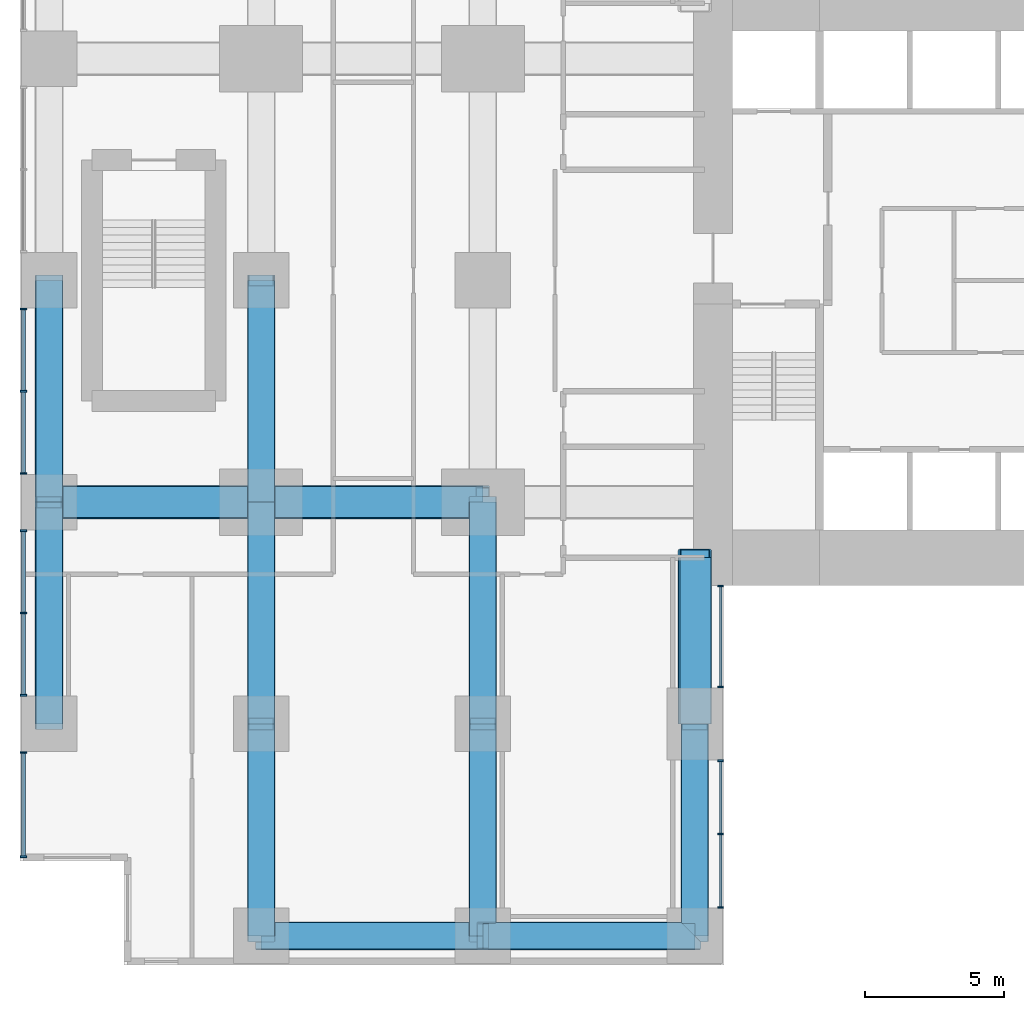
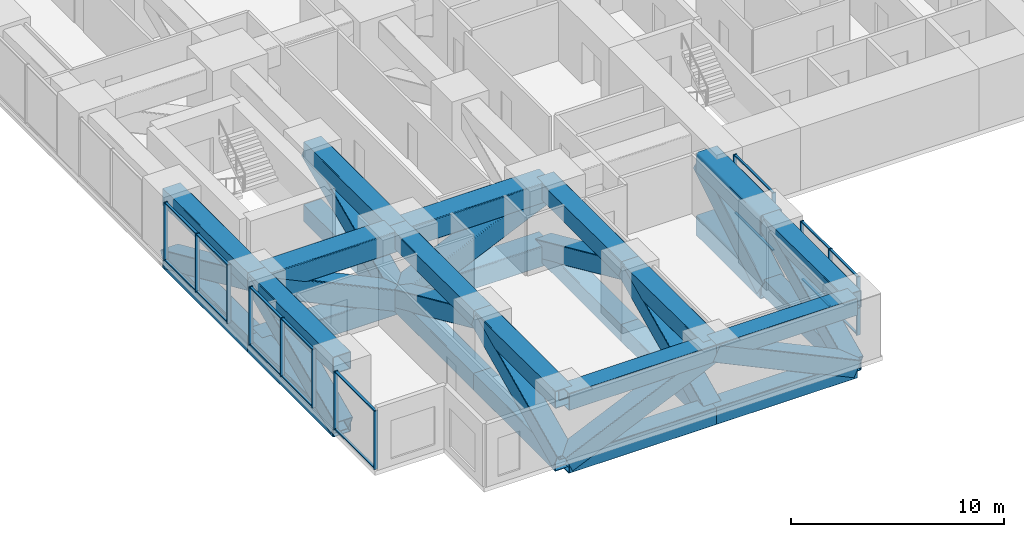
# One storey, part 2 of 15: 68 members, 5 elements without a shape of their own.
"""IFC4 building model written with IfcOpenShell, lengths in metres."""

from ifc_helpers import new_model, si_unit, direction, frame, origin, origin_2d, place, context, subcontext, project, spatial, rectangle, hollow_rectangle, extrude, material, layer, layer_set, material_profile, profile_set, type_object, element, aggregate, save


model = new_model("IFC4")

# Units and contexts
model_context = context("Model", 3, precision=1e-05, world=origin(), true_north=direction((0.0, 1.0)))
body_context = subcontext(model_context, "Body", "Model", "MODEL_VIEW")
ifc_project = project(units=[si_unit("LENGTHUNIT", "METRE"), si_unit("AREAUNIT", "SQUARE_METRE"), si_unit("VOLUMEUNIT", "CUBIC_METRE"), si_unit("PLANEANGLEUNIT", "RADIAN"), si_unit("MASSUNIT", "GRAM", prefix="KILO")], contexts=[model_context])

# Site, building, storey
site_placement = place(None, origin())
site = spatial("IfcSite", under=ifc_project, at=site_placement, CompositionType="ELEMENT")
building_placement = place(site_placement, origin())
building = spatial("IfcBuilding", under=site, at=building_placement, Name="Cleftline Residences", CompositionType="ELEMENT")
storey_placement = place(building_placement, frame((0.0, 0.0, 132.199951171875)))
storey = spatial("IfcBuildingStorey", under=building, at=storey_placement, Name="L34", CompositionType="ELEMENT", Elevation=132.199951171875)

# Members
ifc_material_1 = material(Name="Steel S355", Category="steel")
ifc_material_profile_1 = material_profile(ifc_material_1, hollow_rectangle(XDim=1.0, YDim=1.0, WallThickness=0.0400390625, InnerFilletRadius=0.0400390625, OuterFilletRadius=0.06005859375, at=origin_2d()))
ifc_profile_set_1 = profile_set([ifc_material_profile_1], Name="Steel S355")
member_type_1 = type_object("IfcMemberType", Name="BRACE BOX 1000X1000X40", PredefinedType="BRACE", material=ifc_profile_set_1)
for number, where, z_axis, x_axis, name in (
    (1, (0.35009765625, 8.0, -0.75), (0.0, 0.91191733938, 0.410373934525), (0.0, -0.410373934525, 0.91191733938), "Belt truss diagonal"),
    (2, (0.35009765625, 16.0, 2.85009765625), (0.0, 0.91191733938, -0.410373934525), (0.0, 0.410373934525, 0.91191733938), "Belt truss diagonal"),
):
    element("IfcMember", number, at=place(storey_placement, frame(where, z_axis=z_axis, x_axis=x_axis)), inside=storey, type_object=member_type_1, Name=name, PredefinedType="BRACE", context=body_context, shape_type="SweptSolid", body=[
        extrude(hollow_rectangle(XDim=1.0, YDim=1.0, WallThickness=0.0400390625, InnerFilletRadius=0.0400390625, OuterFilletRadius=0.06005859375, at=origin_2d()), origin(), (0.0, 0.0, 1.0), 8.772705078125),
    ])
member_1_placement = place(storey_placement, frame((8.0, 0.35009765625, -0.75), z_axis=(0.0, 0.904812157874, 0.425810942746), x_axis=(0.0, -0.425810942746, 0.904812157874)))
element("IfcMember", 3, at=member_1_placement, inside=storey, type_object=member_type_1, Name="Belt truss diagonal", PredefinedType="BRACE", context=body_context, shape_type="SweptSolid", body=[
    extrude(hollow_rectangle(XDim=1.0, YDim=1.0, WallThickness=0.0400390625, InnerFilletRadius=0.0400390625, OuterFilletRadius=0.06005859375, at=origin_2d()), origin(), (0.0, 0.0, 1.0), 8.45458984375),
])
for number, where, z_axis, x_axis, name in (
    (4, (8.0, 8.0, 2.85009765625), (0.0, 0.91191733938, -0.410373934525), (0.0, 0.410373934525, 0.91191733938), "Belt truss diagonal"),
    (5, (8.0, 16.0, -0.75), (0.0, 0.91191733938, 0.410373934525), (0.0, -0.410373934525, 0.91191733938), "Belt truss diagonal"),
):
    element("IfcMember", number, at=place(storey_placement, frame(where, z_axis=z_axis, x_axis=x_axis)), inside=storey, type_object=member_type_1, Name=name, PredefinedType="BRACE", context=body_context, shape_type="SweptSolid", body=[
        extrude(hollow_rectangle(XDim=1.0, YDim=1.0, WallThickness=0.0400390625, InnerFilletRadius=0.0400390625, OuterFilletRadius=0.06005859375, at=origin_2d()), origin(), (0.0, 0.0, 1.0), 8.772705078125),
    ])
member_2_placement = place(storey_placement, frame((16.0, 0.35009765625, -0.75), z_axis=(0.0, 0.904812157874, 0.425810942746), x_axis=(0.0, -0.425810942746, 0.904812157874)))
element("IfcMember", 6, at=member_2_placement, inside=storey, type_object=member_type_1, Name="Belt truss diagonal", PredefinedType="BRACE", context=body_context, shape_type="SweptSolid", body=[
    extrude(hollow_rectangle(XDim=1.0, YDim=1.0, WallThickness=0.0400390625, InnerFilletRadius=0.0400390625, OuterFilletRadius=0.06005859375, at=origin_2d()), origin(), (0.0, 0.0, 1.0), 8.45458984375),
])
member_3_placement = place(storey_placement, frame((16.0, 8.0, 2.85009765625), z_axis=(0.0, 0.91191733938, -0.410373934525), x_axis=(0.0, 0.410373934525, 0.91191733938)))
element("IfcMember", 7, at=member_3_placement, inside=storey, type_object=member_type_1, Name="Belt truss diagonal", PredefinedType="BRACE", context=body_context, shape_type="SweptSolid", body=[
    extrude(hollow_rectangle(XDim=1.0, YDim=1.0, WallThickness=0.0400390625, InnerFilletRadius=0.0400390625, OuterFilletRadius=0.06005859375, at=origin_2d()), origin(), (0.0, 0.0, 1.0), 8.772705078125),
])
member_4_placement = place(storey_placement, frame((23.64990234375, 0.35009765625, -0.75), z_axis=(0.0, 0.904812157874, 0.425810942746), x_axis=(0.0, -0.425810942746, 0.904812157874)))
element("IfcMember", 8, at=member_4_placement, inside=storey, type_object=member_type_1, Name="Belt truss diagonal", PredefinedType="BRACE", context=body_context, shape_type="SweptSolid", body=[
    extrude(hollow_rectangle(XDim=1.0, YDim=1.0, WallThickness=0.0400390625, InnerFilletRadius=0.0400390625, OuterFilletRadius=0.06005859375, at=origin_2d()), origin(), (0.0, 0.0, 1.0), 8.45458984375),
])
member_5_placement = place(storey_placement, frame((8.0, 0.35009765625, -0.75), z_axis=(0.91191733938, 0.0, 0.410373934525), x_axis=(-0.410373934525, 0.0, 0.91191733938)))
element("IfcMember", 9, at=member_5_placement, inside=storey, type_object=member_type_1, Name="Belt truss diagonal", PredefinedType="BRACE", context=body_context, shape_type="SweptSolid", body=[
    extrude(hollow_rectangle(XDim=1.0, YDim=1.0, WallThickness=0.0400390625, InnerFilletRadius=0.0400390625, OuterFilletRadius=0.06005859375, at=origin_2d()), origin(), (0.0, 0.0, 1.0), 8.772705078125),
])
member_6_placement = place(storey_placement, frame((16.0, 0.35009765625, 2.85009765625), z_axis=(0.904812157874, 0.0, -0.425810942746), x_axis=(0.425810942746, 0.0, 0.904812157874)))
element("IfcMember", 10, at=member_6_placement, inside=storey, type_object=member_type_1, Name="Belt truss diagonal", PredefinedType="BRACE", context=body_context, shape_type="SweptSolid", body=[
    extrude(hollow_rectangle(XDim=1.0, YDim=1.0, WallThickness=0.0400390625, InnerFilletRadius=0.0400390625, OuterFilletRadius=0.06005859375, at=origin_2d()), origin(), (0.0, 0.0, 1.0), 8.45458984375),
])
ifc_material_2 = material(Name="Steel S355", Category="steel")
ifc_material_profile_2 = material_profile(ifc_material_2, hollow_rectangle(XDim=1.199951171875, YDim=1.199951171875, WallThickness=0.06005859375, InnerFilletRadius=0.06005859375, OuterFilletRadius=0.090087890625, at=origin_2d()))
ifc_profile_set_2 = profile_set([ifc_material_profile_2], Name="Steel S355")
member_type_2 = type_object("IfcMemberType", Name="BRACE BOX 1200X1200X60", PredefinedType="BRACE", material=ifc_profile_set_2)
member_7_placement = place(storey_placement, frame((16.0, 16.0, 2.75), z_axis=(-0.911927753762, 0.0, -0.410350791297), x_axis=(-0.410350791297, 0.0, 0.911927753762)))
element("IfcMember", 11, at=member_7_placement, inside=storey, type_object=member_type_2, Name="Outrigger truss diagonal", PredefinedType="BRACE", context=body_context, shape_type="SweptSolid", body=[
    extrude(hollow_rectangle(XDim=1.199951171875, YDim=1.199951171875, WallThickness=0.06005859375, InnerFilletRadius=0.06005859375, OuterFilletRadius=0.090087890625, at=origin_2d()), origin(), (0.0, 0.0, 1.0), 8.772705078125),
])
member_8_placement = place(storey_placement, frame((8.0, 16.0, -0.849853515625), z_axis=(-0.904823283159, 0.0, 0.425787301659), x_axis=(0.425787301659, 0.0, 0.904823283159)))
element("IfcMember", 12, at=member_8_placement, inside=storey, type_object=member_type_2, Name="Outrigger truss diagonal", PredefinedType="BRACE", context=body_context, shape_type="SweptSolid", body=[
    extrude(hollow_rectangle(XDim=1.199951171875, YDim=1.199951171875, WallThickness=0.06005859375, InnerFilletRadius=0.06005859375, OuterFilletRadius=0.090087890625, at=origin_2d()), origin(), (0.0, 0.0, 1.0), 8.45458984375),
])
member_9_placement = place(storey_placement, frame((23.64990234375, 8.0, -0.849853515625), z_axis=(0.0, 0.857502161653, 0.51448036188), x_axis=(0.0, -0.51448036188, 0.857502161653)))
element("IfcMember", 13, at=member_9_placement, inside=storey, type_object=member_type_2, Name="Outrigger truss diagonal", PredefinedType="BRACE", context=body_context, shape_type="SweptSolid", body=[
    extrude(hollow_rectangle(XDim=1.199951171875, YDim=1.199951171875, WallThickness=0.06005859375, InnerFilletRadius=0.06005859375, OuterFilletRadius=0.090087890625, at=origin_2d()), origin(), (0.0, 0.0, 1.0), 6.9970703125),
])
ifc_material_3 = material(Name="Steel S355", Category="steel")
ifc_material_profile_3 = material_profile(ifc_material_3, hollow_rectangle(XDim=1.0, YDim=1.0, WallThickness=0.0400390625, InnerFilletRadius=0.0400390625, OuterFilletRadius=0.06005859375, at=origin_2d()))
ifc_profile_set_3 = profile_set([ifc_material_profile_3], Name="Steel S355")
member_type_3 = type_object("IfcMemberType", Name="CHORD BOX 1000X1000X40", PredefinedType="CHORD", material=ifc_profile_set_3)
for number, where, z_axis, x_axis, name in (
    (14, (0.35009765625, 8.0, -0.75), (0.0, 1.0, 0.0), (-1.0, 0.0, 0.0), "Belt truss bottom chord"),
    (15, (0.35009765625, 8.0, 2.85009765625), (0.0, 1.0, 0.0), (-1.0, 0.0, 0.0), "Belt truss top chord"),
    (16, (0.35009765625, 16.0, -0.75), (0.0, 1.0, 0.0), (-1.0, 0.0, 0.0), "Belt truss bottom chord"),
    (17, (0.35009765625, 16.0, 2.85009765625), (0.0, 1.0, 0.0), (-1.0, 0.0, 0.0), "Belt truss top chord"),
):
    element("IfcMember", number, at=place(storey_placement, frame(where, z_axis=z_axis, x_axis=x_axis)), inside=storey, type_object=member_type_3, Name=name, PredefinedType="CHORD", context=body_context, shape_type="SweptSolid", body=[
        extrude(hollow_rectangle(XDim=1.0, YDim=1.0, WallThickness=0.0400390625, InnerFilletRadius=0.0400390625, OuterFilletRadius=0.06005859375, at=origin_2d()), origin(), (0.0, 0.0, 1.0), 8.0),
    ])
for number, where, z_axis, x_axis, name in (
    (18, (8.0, 0.35009765625, -0.75), (0.0, 1.0, 0.0), (-1.0, 0.0, 0.0), "Belt truss bottom chord"),
    (19, (8.0, 0.35009765625, 2.85009765625), (0.0, 1.0, 0.0), (-1.0, 0.0, 0.0), "Belt truss top chord"),
):
    element("IfcMember", number, at=place(storey_placement, frame(where, z_axis=z_axis, x_axis=x_axis)), inside=storey, type_object=member_type_3, Name=name, PredefinedType="CHORD", context=body_context, shape_type="SweptSolid", body=[
        extrude(hollow_rectangle(XDim=1.0, YDim=1.0, WallThickness=0.0400390625, InnerFilletRadius=0.0400390625, OuterFilletRadius=0.06005859375, at=origin_2d()), origin(), (0.0, 0.0, 1.0), 7.64990234375),
    ])
for number, where, z_axis, x_axis, name in (
    (20, (8.0, 8.0, -0.75), (0.0, 1.0, 0.0), (-1.0, 0.0, 0.0), "Belt truss bottom chord"),
    (21, (8.0, 8.0, 2.85009765625), (0.0, 1.0, 0.0), (-1.0, 0.0, 0.0), "Belt truss top chord"),
    (22, (8.0, 16.0, -0.75), (0.0, 1.0, 0.0), (-1.0, 0.0, 0.0), "Belt truss bottom chord"),
    (23, (8.0, 16.0, 2.85009765625), (0.0, 1.0, 0.0), (-1.0, 0.0, 0.0), "Belt truss top chord"),
):
    element("IfcMember", number, at=place(storey_placement, frame(where, z_axis=z_axis, x_axis=x_axis)), inside=storey, type_object=member_type_3, Name=name, PredefinedType="CHORD", context=body_context, shape_type="SweptSolid", body=[
        extrude(hollow_rectangle(XDim=1.0, YDim=1.0, WallThickness=0.0400390625, InnerFilletRadius=0.0400390625, OuterFilletRadius=0.06005859375, at=origin_2d()), origin(), (0.0, 0.0, 1.0), 8.0),
    ])
for number, where, z_axis, x_axis, name in (
    (24, (16.0, 0.35009765625, -0.75), (0.0, 1.0, 0.0), (-1.0, 0.0, 0.0), "Belt truss bottom chord"),
    (25, (16.0, 0.35009765625, 2.85009765625), (0.0, 1.0, 0.0), (-1.0, 0.0, 0.0), "Belt truss top chord"),
):
    element("IfcMember", number, at=place(storey_placement, frame(where, z_axis=z_axis, x_axis=x_axis)), inside=storey, type_object=member_type_3, Name=name, PredefinedType="CHORD", context=body_context, shape_type="SweptSolid", body=[
        extrude(hollow_rectangle(XDim=1.0, YDim=1.0, WallThickness=0.0400390625, InnerFilletRadius=0.0400390625, OuterFilletRadius=0.06005859375, at=origin_2d()), origin(), (0.0, 0.0, 1.0), 7.64990234375),
    ])
for number, where, z_axis, x_axis, name in (
    (26, (16.0, 8.0, -0.75), (0.0, 1.0, 0.0), (-1.0, 0.0, 0.0), "Belt truss bottom chord"),
    (27, (16.0, 8.0, 2.85009765625), (0.0, 1.0, 0.0), (-1.0, 0.0, 0.0), "Belt truss top chord"),
):
    element("IfcMember", number, at=place(storey_placement, frame(where, z_axis=z_axis, x_axis=x_axis)), inside=storey, type_object=member_type_3, Name=name, PredefinedType="CHORD", context=body_context, shape_type="SweptSolid", body=[
        extrude(hollow_rectangle(XDim=1.0, YDim=1.0, WallThickness=0.0400390625, InnerFilletRadius=0.0400390625, OuterFilletRadius=0.06005859375, at=origin_2d()), origin(), (0.0, 0.0, 1.0), 8.0),
    ])
for number, where, z_axis, x_axis, name in (
    (28, (23.64990234375, 0.35009765625, -0.75), (0.0, 1.0, 0.0), (-1.0, 0.0, 0.0), "Belt truss bottom chord"),
    (29, (23.64990234375, 0.35009765625, 2.85009765625), (0.0, 1.0, 0.0), (-1.0, 0.0, 0.0), "Belt truss top chord"),
):
    element("IfcMember", number, at=place(storey_placement, frame(where, z_axis=z_axis, x_axis=x_axis)), inside=storey, type_object=member_type_3, Name=name, PredefinedType="CHORD", context=body_context, shape_type="SweptSolid", body=[
        extrude(hollow_rectangle(XDim=1.0, YDim=1.0, WallThickness=0.0400390625, InnerFilletRadius=0.0400390625, OuterFilletRadius=0.06005859375, at=origin_2d()), origin(), (0.0, 0.0, 1.0), 7.64990234375),
    ])
for number, where, z_axis, x_axis, name in (
    (30, (8.0, 0.35009765625, -0.75), (1.0, 0.0, 0.0), (0.0, 1.0, 0.0), "Belt truss bottom chord"),
    (31, (8.0, 0.35009765625, 2.85009765625), (1.0, 0.0, 0.0), (0.0, 1.0, 0.0), "Belt truss top chord"),
):
    element("IfcMember", number, at=place(storey_placement, frame(where, z_axis=z_axis, x_axis=x_axis)), inside=storey, type_object=member_type_3, Name=name, PredefinedType="CHORD", context=body_context, shape_type="SweptSolid", body=[
        extrude(hollow_rectangle(XDim=1.0, YDim=1.0, WallThickness=0.0400390625, InnerFilletRadius=0.0400390625, OuterFilletRadius=0.06005859375, at=origin_2d()), origin(), (0.0, 0.0, 1.0), 8.0),
    ])
for number, where, z_axis, x_axis, name in (
    (32, (16.0, 0.35009765625, -0.75), (1.0, 0.0, 0.0), (0.0, 1.0, 0.0), "Belt truss bottom chord"),
    (33, (16.0, 0.35009765625, 2.85009765625), (1.0, 0.0, 0.0), (0.0, 1.0, 0.0), "Belt truss top chord"),
):
    element("IfcMember", number, at=place(storey_placement, frame(where, z_axis=z_axis, x_axis=x_axis)), inside=storey, type_object=member_type_3, Name=name, PredefinedType="CHORD", context=body_context, shape_type="SweptSolid", body=[
        extrude(hollow_rectangle(XDim=1.0, YDim=1.0, WallThickness=0.0400390625, InnerFilletRadius=0.0400390625, OuterFilletRadius=0.06005859375, at=origin_2d()), origin(), (0.0, 0.0, 1.0), 7.64990234375),
    ])
ifc_material_4 = material(Name="Steel S355", Category="steel")
ifc_material_profile_4 = material_profile(ifc_material_4, hollow_rectangle(XDim=1.199951171875, YDim=1.199951171875, WallThickness=0.06005859375, InnerFilletRadius=0.06005859375, OuterFilletRadius=0.090087890625, at=origin_2d()))
ifc_profile_set_4 = profile_set([ifc_material_profile_4], Name="Steel S355")
member_type_4 = type_object("IfcMemberType", Name="CHORD BOX 1200X1200X60", PredefinedType="CHORD", material=ifc_profile_set_4)
for number, where, z_axis, x_axis, name in (
    (34, (16.0, 16.0, -0.849853515625), (-1.0, 0.0, 0.0), (0.0, -1.0, 0.0), "Outrigger truss bottom chord"),
    (35, (16.0, 16.0, 2.75), (-1.0, 0.0, 0.0), (0.0, -1.0, 0.0), "Outrigger truss top chord"),
):
    element("IfcMember", number, at=place(storey_placement, frame(where, z_axis=z_axis, x_axis=x_axis)), inside=storey, type_object=member_type_4, Name=name, PredefinedType="CHORD", context=body_context, shape_type="SweptSolid", body=[
        extrude(hollow_rectangle(XDim=1.199951171875, YDim=1.199951171875, WallThickness=0.06005859375, InnerFilletRadius=0.06005859375, OuterFilletRadius=0.090087890625, at=origin_2d()), origin(), (0.0, 0.0, 1.0), 8.0),
    ])
for number, where, z_axis, x_axis, name in (
    (36, (8.0, 16.0, -0.849853515625), (-1.0, 0.0, 0.0), (0.0, -1.0, 0.0), "Outrigger truss bottom chord"),
    (37, (8.0, 16.0, 2.75), (-1.0, 0.0, 0.0), (0.0, -1.0, 0.0), "Outrigger truss top chord"),
):
    element("IfcMember", number, at=place(storey_placement, frame(where, z_axis=z_axis, x_axis=x_axis)), inside=storey, type_object=member_type_4, Name=name, PredefinedType="CHORD", context=body_context, shape_type="SweptSolid", body=[
        extrude(hollow_rectangle(XDim=1.199951171875, YDim=1.199951171875, WallThickness=0.06005859375, InnerFilletRadius=0.06005859375, OuterFilletRadius=0.090087890625, at=origin_2d()), origin(), (0.0, 0.0, 1.0), 7.64990234375),
    ])
for number, where, z_axis, x_axis, name in (
    (38, (23.64990234375, 8.0, -0.849853515625), (0.0, 1.0, 0.0), (-1.0, 0.0, 0.0), "Outrigger truss bottom chord"),
    (39, (23.64990234375, 8.0, 2.75), (0.0, 1.0, 0.0), (-1.0, 0.0, 0.0), "Outrigger truss top chord"),
):
    element("IfcMember", number, at=place(storey_placement, frame(where, z_axis=z_axis, x_axis=x_axis)), inside=storey, type_object=member_type_4, Name=name, PredefinedType="CHORD", context=body_context, shape_type="SweptSolid", body=[
        extrude(hollow_rectangle(XDim=1.199951171875, YDim=1.199951171875, WallThickness=0.06005859375, InnerFilletRadius=0.06005859375, OuterFilletRadius=0.090087890625, at=origin_2d()), origin(), (0.0, 0.0, 1.0), 6.0),
    ])

# Curtain wall, members
ifc_material_5 = material(Name="Aluminium framed curtain wall", Category="aluminium")
ifc_layer_1 = layer(ifc_material_5, 0.199951171875)
ifc_layer_set_1 = layer_set([ifc_layer_1], Name="CW1 CLEFT GLAZING")
curtain_wall_type_1 = type_object("IfcCurtainWallType", Name="CW1 CLEFT GLAZING", PredefinedType="NOTDEFINED", material=ifc_layer_set_1)
curtain_wall_1_placement = place(storey_placement, origin())
curtain_wall_1 = element("IfcCurtainWall", 40, at=curtain_wall_1_placement, inside=storey, type_object=curtain_wall_type_1, Name="Curtain wall CW1", PredefinedType="NOTDEFINED")
ifc_material_6 = material(Name="Aluminium mullion", Category="aluminium")
ifc_material_profile_5 = material_profile(ifc_material_6, rectangle(XDim=0.199951171875, YDim=0.06005859375, at=origin_2d()))
ifc_profile_set_5 = profile_set([ifc_material_profile_5], Name="Aluminium mullion")
member_type_5 = type_object("IfcMemberType", Name="CW1 MULLION", PredefinedType="MULLION", material=ifc_profile_set_5)
member_10_placement = place(storey_placement, frame((24.574951171875, 1.3798828125, 0.0), z_axis=(0.0, 0.0, 1.0), x_axis=(-1.0, 0.0, 0.0)))
member_10 = element("IfcMember", 41, at=member_10_placement, type_object=member_type_5, Name="CW1 mullion 1", PredefinedType="MULLION", context=body_context, shape_type="SweptSolid", body=[
    extrude(rectangle(XDim=0.199951171875, YDim=0.06005859375, at=origin_2d()), origin(), (0.0, 0.0, 1.0), 3.35009765625),
])
member_11_placement = place(storey_placement, frame((24.574951171875, 4.02490234375, 0.0), z_axis=(0.0, 0.0, 1.0), x_axis=(-1.0, 0.0, 0.0)))
member_11 = element("IfcMember", 42, at=member_11_placement, type_object=member_type_5, Name="CW1 mullion 2", PredefinedType="MULLION", context=body_context, shape_type="SweptSolid", body=[
    extrude(rectangle(XDim=0.199951171875, YDim=0.06005859375, at=origin_2d()), origin(), (0.0, 0.0, 1.0), 3.35009765625),
])
member_12_placement = place(storey_placement, frame((24.574951171875, 6.669921875, 0.0), z_axis=(0.0, 0.0, 1.0), x_axis=(-1.0, 0.0, 0.0)))
member_12 = element("IfcMember", 43, at=member_12_placement, type_object=member_type_5, Name="CW1 mullion 3", PredefinedType="MULLION", context=body_context, shape_type="SweptSolid", body=[
    extrude(rectangle(XDim=0.199951171875, YDim=0.06005859375, at=origin_2d()), origin(), (0.0, 0.0, 1.0), 3.35009765625),
])

curtain_wall_2_placement = place(storey_placement, origin())
curtain_wall_2 = element("IfcCurtainWall", 44, at=curtain_wall_2_placement, inside=storey, type_object=curtain_wall_type_1, Name="Curtain wall CW1", PredefinedType="NOTDEFINED")
member_13_placement = place(storey_placement, frame((24.574951171875, 9.330078125, 0.0), z_axis=(0.0, 0.0, 1.0), x_axis=(-1.0, 0.0, 0.0)))
member_13 = element("IfcMember", 45, at=member_13_placement, type_object=member_type_5, Name="CW1 mullion 1", PredefinedType="MULLION", context=body_context, shape_type="SweptSolid", body=[
    extrude(rectangle(XDim=0.199951171875, YDim=0.06005859375, at=origin_2d()), origin(), (0.0, 0.0, 1.0), 3.35009765625),
])
member_14_placement = place(storey_placement, frame((24.574951171875, 12.969970703125, 0.0), z_axis=(0.0, 0.0, 1.0), x_axis=(-1.0, 0.0, 0.0)))
member_14 = element("IfcMember", 46, at=member_14_placement, type_object=member_type_5, Name="CW1 mullion 2", PredefinedType="MULLION", context=body_context, shape_type="SweptSolid", body=[
    extrude(rectangle(XDim=0.199951171875, YDim=0.06005859375, at=origin_2d()), origin(), (0.0, 0.0, 1.0), 3.35009765625),
])

# Member
ifc_material_7 = material(Name="Aluminium transom", Category="aluminium")
ifc_material_profile_6 = material_profile(ifc_material_7, rectangle(XDim=0.1201171875, YDim=0.06005859375, at=origin_2d()))
ifc_profile_set_6 = profile_set([ifc_material_profile_6], Name="Aluminium transom")
member_type_6 = type_object("IfcMemberType", Name="CW1 TRANSOM", PredefinedType="USERDEFINED", material=ifc_profile_set_6)
member_15_placement = place(storey_placement, frame((24.574951171875, 1.409912109375, 0.030029296875), z_axis=(0.0, 1.0, 0.0), x_axis=(-1.0, 0.0, 0.0)))
member_15 = element("IfcMember", 47, at=member_15_placement, type_object=member_type_6, Name="CW1 transom 1.1", ObjectType="TRANSOM", PredefinedType="USERDEFINED", context=body_context, shape_type="SweptSolid", body=[
    extrude(rectangle(XDim=0.1201171875, YDim=0.06005859375, at=origin_2d()), origin(), (0.0, 0.0, 1.0), 2.585205078125),
])

member_16_placement = place(storey_placement, frame((24.574951171875, 1.409912109375, 3.320068359375), z_axis=(0.0, 1.0, 0.0), x_axis=(-1.0, 0.0, 0.0)))
member_16 = element("IfcMember", 48, at=member_16_placement, type_object=member_type_6, Name="CW1 transom 1.2", ObjectType="TRANSOM", PredefinedType="USERDEFINED", context=body_context, shape_type="SweptSolid", body=[
    extrude(rectangle(XDim=0.1201171875, YDim=0.06005859375, at=origin_2d()), origin(), (0.0, 0.0, 1.0), 2.585205078125),
])

member_17_placement = place(storey_placement, frame((24.574951171875, 4.054931640625, 0.030029296875), z_axis=(0.0, 1.0, 0.0), x_axis=(-1.0, 0.0, 0.0)))
member_17 = element("IfcMember", 49, at=member_17_placement, type_object=member_type_6, Name="CW1 transom 2.1", ObjectType="TRANSOM", PredefinedType="USERDEFINED", context=body_context, shape_type="SweptSolid", body=[
    extrude(rectangle(XDim=0.1201171875, YDim=0.06005859375, at=origin_2d()), origin(), (0.0, 0.0, 1.0), 2.5849609375),
])

member_18_placement = place(storey_placement, frame((24.574951171875, 4.054931640625, 3.320068359375), z_axis=(0.0, 1.0, 0.0), x_axis=(-1.0, 0.0, 0.0)))
member_18 = element("IfcMember", 50, at=member_18_placement, type_object=member_type_6, Name="CW1 transom 2.2", ObjectType="TRANSOM", PredefinedType="USERDEFINED", context=body_context, shape_type="SweptSolid", body=[
    extrude(rectangle(XDim=0.1201171875, YDim=0.06005859375, at=origin_2d()), origin(), (0.0, 0.0, 1.0), 2.5849609375),
])

aggregate(curtain_wall_1, [member_10, member_11, member_12, member_15, member_16, member_17, member_18])

member_19_placement = place(storey_placement, frame((24.574951171875, 9.360107421875, 0.030029296875), z_axis=(0.0, 1.0, 0.0), x_axis=(-1.0, 0.0, 0.0)))
member_19 = element("IfcMember", 51, at=member_19_placement, type_object=member_type_6, Name="CW1 transom 1.1", ObjectType="TRANSOM", PredefinedType="USERDEFINED", context=body_context, shape_type="SweptSolid", body=[
    extrude(rectangle(XDim=0.1201171875, YDim=0.06005859375, at=origin_2d()), origin(), (0.0, 0.0, 1.0), 3.579833984375),
])

member_20_placement = place(storey_placement, frame((24.574951171875, 9.360107421875, 3.320068359375), z_axis=(0.0, 1.0, 0.0), x_axis=(-1.0, 0.0, 0.0)))
member_20 = element("IfcMember", 52, at=member_20_placement, type_object=member_type_6, Name="CW1 transom 1.2", ObjectType="TRANSOM", PredefinedType="USERDEFINED", context=body_context, shape_type="SweptSolid", body=[
    extrude(rectangle(XDim=0.1201171875, YDim=0.06005859375, at=origin_2d()), origin(), (0.0, 0.0, 1.0), 3.579833984375),
])

aggregate(curtain_wall_2, [member_13, member_14, member_19, member_20])

# Curtain wall, members
ifc_material_8 = material(Name="Aluminium framed curtain wall", Category="aluminium")
ifc_layer_2 = layer(ifc_material_8, 0.199951171875)
ifc_layer_set_2 = layer_set([ifc_layer_2], Name="CW4 SKY LOUNGE GLAZING")
curtain_wall_type_2 = type_object("IfcCurtainWallType", Name="CW4 SKY LOUNGE GLAZING", PredefinedType="NOTDEFINED", material=ifc_layer_set_2)
curtain_wall_3_placement = place(storey_placement, origin())
curtain_wall_3 = element("IfcCurtainWall", 53, at=curtain_wall_3_placement, inside=storey, type_object=curtain_wall_type_2, Name="Curtain wall CW4", PredefinedType="NOTDEFINED")
ifc_material_9 = material(Name="Aluminium mullion", Category="aluminium")
ifc_material_profile_7 = material_profile(ifc_material_9, rectangle(XDim=0.219970703125, YDim=0.06494140625, at=origin_2d()))
ifc_profile_set_7 = profile_set([ifc_material_profile_7], Name="Aluminium mullion")
member_type_7 = type_object("IfcMemberType", Name="CW4 MULLION", PredefinedType="MULLION", material=ifc_profile_set_7)
member_21_placement = place(storey_placement, frame((-0.574951171875, 22.967529296875, 0.0), z_axis=(0.0, 0.0, 1.0), x_axis=(1.0, 0.0, 0.0)))
member_21 = element("IfcMember", 54, at=member_21_placement, type_object=member_type_7, Name="CW4 mullion 1", PredefinedType="MULLION", context=body_context, shape_type="SweptSolid", body=[
    extrude(rectangle(XDim=0.219970703125, YDim=0.06494140625, at=origin_2d()), origin(), (0.0, 0.0, 1.0), 3.35009765625),
])
member_22_placement = place(storey_placement, frame((-0.574951171875, 20.0, 0.0), z_axis=(0.0, 0.0, 1.0), x_axis=(1.0, 0.0, 0.0)))
member_22 = element("IfcMember", 55, at=member_22_placement, type_object=member_type_7, Name="CW4 mullion 2", PredefinedType="MULLION", context=body_context, shape_type="SweptSolid", body=[
    extrude(rectangle(XDim=0.219970703125, YDim=0.06494140625, at=origin_2d()), origin(), (0.0, 0.0, 1.0), 3.35009765625),
])
member_23_placement = place(storey_placement, frame((-0.574951171875, 17.032470703125, 0.0), z_axis=(0.0, 0.0, 1.0), x_axis=(1.0, 0.0, 0.0)))
member_23 = element("IfcMember", 56, at=member_23_placement, type_object=member_type_7, Name="CW4 mullion 3", PredefinedType="MULLION", context=body_context, shape_type="SweptSolid", body=[
    extrude(rectangle(XDim=0.219970703125, YDim=0.06494140625, at=origin_2d()), origin(), (0.0, 0.0, 1.0), 3.35009765625),
])

curtain_wall_4_placement = place(storey_placement, origin())
curtain_wall_4 = element("IfcCurtainWall", 57, at=curtain_wall_4_placement, inside=storey, type_object=curtain_wall_type_2, Name="Curtain wall CW4", PredefinedType="NOTDEFINED")
member_24_placement = place(storey_placement, frame((-0.574951171875, 14.967529296875, 0.0), z_axis=(0.0, 0.0, 1.0), x_axis=(1.0, 0.0, 0.0)))
member_24 = element("IfcMember", 58, at=member_24_placement, type_object=member_type_7, Name="CW4 mullion 1", PredefinedType="MULLION", context=body_context, shape_type="SweptSolid", body=[
    extrude(rectangle(XDim=0.219970703125, YDim=0.06494140625, at=origin_2d()), origin(), (0.0, 0.0, 1.0), 3.35009765625),
])
member_25_placement = place(storey_placement, frame((-0.574951171875, 12.0, 0.0), z_axis=(0.0, 0.0, 1.0), x_axis=(1.0, 0.0, 0.0)))
member_25 = element("IfcMember", 59, at=member_25_placement, type_object=member_type_7, Name="CW4 mullion 2", PredefinedType="MULLION", context=body_context, shape_type="SweptSolid", body=[
    extrude(rectangle(XDim=0.219970703125, YDim=0.06494140625, at=origin_2d()), origin(), (0.0, 0.0, 1.0), 3.35009765625),
])
member_26_placement = place(storey_placement, frame((-0.574951171875, 9.032470703125, 0.0), z_axis=(0.0, 0.0, 1.0), x_axis=(1.0, 0.0, 0.0)))
member_26 = element("IfcMember", 60, at=member_26_placement, type_object=member_type_7, Name="CW4 mullion 3", PredefinedType="MULLION", context=body_context, shape_type="SweptSolid", body=[
    extrude(rectangle(XDim=0.219970703125, YDim=0.06494140625, at=origin_2d()), origin(), (0.0, 0.0, 1.0), 3.35009765625),
])

curtain_wall_5_placement = place(storey_placement, origin())
curtain_wall_5 = element("IfcCurtainWall", 61, at=curtain_wall_5_placement, inside=storey, type_object=curtain_wall_type_2, Name="Curtain wall CW4", PredefinedType="NOTDEFINED")
member_27_placement = place(storey_placement, frame((-0.574951171875, 6.967529296875, 0.0), z_axis=(0.0, 0.0, 1.0), x_axis=(1.0, 0.0, 0.0)))
member_27 = element("IfcMember", 62, at=member_27_placement, type_object=member_type_7, Name="CW4 mullion 1", PredefinedType="MULLION", context=body_context, shape_type="SweptSolid", body=[
    extrude(rectangle(XDim=0.219970703125, YDim=0.06494140625, at=origin_2d()), origin(), (0.0, 0.0, 1.0), 3.35009765625),
])
member_28_placement = place(storey_placement, frame((-0.574951171875, 3.20751953125, 0.0), z_axis=(0.0, 0.0, 1.0), x_axis=(1.0, 0.0, 0.0)))
member_28 = element("IfcMember", 63, at=member_28_placement, type_object=member_type_7, Name="CW4 mullion 2", PredefinedType="MULLION", context=body_context, shape_type="SweptSolid", body=[
    extrude(rectangle(XDim=0.219970703125, YDim=0.06494140625, at=origin_2d()), origin(), (0.0, 0.0, 1.0), 3.35009765625),
])

# Member
ifc_material_10 = material(Name="Aluminium transom", Category="aluminium")
ifc_material_profile_8 = material_profile(ifc_material_10, rectangle(XDim=0.132080078125, YDim=0.06494140625, at=origin_2d()))
ifc_profile_set_8 = profile_set([ifc_material_profile_8], Name="Aluminium transom")
member_type_8 = type_object("IfcMemberType", Name="CW4 TRANSOM", PredefinedType="USERDEFINED", material=ifc_profile_set_8)
member_29_placement = place(storey_placement, frame((-0.574951171875, 22.93505859375, 0.032470703125), z_axis=(0.0, -1.0, 0.0), x_axis=(1.0, 0.0, 0.0)))
member_29 = element("IfcMember", 64, at=member_29_placement, type_object=member_type_8, Name="CW4 transom 1.1", ObjectType="TRANSOM", PredefinedType="USERDEFINED", context=body_context, shape_type="SweptSolid", body=[
    extrude(rectangle(XDim=0.132080078125, YDim=0.06494140625, at=origin_2d()), origin(), (0.0, 0.0, 1.0), 2.902587890625),
])

member_30_placement = place(storey_placement, frame((-0.574951171875, 22.93505859375, 3.317626953125), z_axis=(0.0, -1.0, 0.0), x_axis=(1.0, 0.0, 0.0)))
member_30 = element("IfcMember", 65, at=member_30_placement, type_object=member_type_8, Name="CW4 transom 1.2", ObjectType="TRANSOM", PredefinedType="USERDEFINED", context=body_context, shape_type="SweptSolid", body=[
    extrude(rectangle(XDim=0.132080078125, YDim=0.06494140625, at=origin_2d()), origin(), (0.0, 0.0, 1.0), 2.902587890625),
])

member_31_placement = place(storey_placement, frame((-0.574951171875, 19.967529296875, 0.032470703125), z_axis=(0.0, -1.0, 0.0), x_axis=(1.0, 0.0, 0.0)))
member_31 = element("IfcMember", 66, at=member_31_placement, type_object=member_type_8, Name="CW4 transom 2.1", ObjectType="TRANSOM", PredefinedType="USERDEFINED", context=body_context, shape_type="SweptSolid", body=[
    extrude(rectangle(XDim=0.132080078125, YDim=0.06494140625, at=origin_2d()), origin(), (0.0, 0.0, 1.0), 2.902587890625),
])

member_32_placement = place(storey_placement, frame((-0.574951171875, 19.967529296875, 3.317626953125), z_axis=(0.0, -1.0, 0.0), x_axis=(1.0, 0.0, 0.0)))
member_32 = element("IfcMember", 67, at=member_32_placement, type_object=member_type_8, Name="CW4 transom 2.2", ObjectType="TRANSOM", PredefinedType="USERDEFINED", context=body_context, shape_type="SweptSolid", body=[
    extrude(rectangle(XDim=0.132080078125, YDim=0.06494140625, at=origin_2d()), origin(), (0.0, 0.0, 1.0), 2.902587890625),
])

aggregate(curtain_wall_3, [member_21, member_22, member_23, member_29, member_30, member_31, member_32])

member_33_placement = place(storey_placement, frame((-0.574951171875, 14.93505859375, 0.032470703125), z_axis=(0.0, -1.0, 0.0), x_axis=(1.0, 0.0, 0.0)))
member_33 = element("IfcMember", 68, at=member_33_placement, type_object=member_type_8, Name="CW4 transom 1.1", ObjectType="TRANSOM", PredefinedType="USERDEFINED", context=body_context, shape_type="SweptSolid", body=[
    extrude(rectangle(XDim=0.132080078125, YDim=0.06494140625, at=origin_2d()), origin(), (0.0, 0.0, 1.0), 2.902587890625),
])

member_34_placement = place(storey_placement, frame((-0.574951171875, 14.93505859375, 3.317626953125), z_axis=(0.0, -1.0, 0.0), x_axis=(1.0, 0.0, 0.0)))
member_34 = element("IfcMember", 69, at=member_34_placement, type_object=member_type_8, Name="CW4 transom 1.2", ObjectType="TRANSOM", PredefinedType="USERDEFINED", context=body_context, shape_type="SweptSolid", body=[
    extrude(rectangle(XDim=0.132080078125, YDim=0.06494140625, at=origin_2d()), origin(), (0.0, 0.0, 1.0), 2.902587890625),
])

member_35_placement = place(storey_placement, frame((-0.574951171875, 11.967529296875, 0.032470703125), z_axis=(0.0, -1.0, 0.0), x_axis=(1.0, 0.0, 0.0)))
member_35 = element("IfcMember", 70, at=member_35_placement, type_object=member_type_8, Name="CW4 transom 2.1", ObjectType="TRANSOM", PredefinedType="USERDEFINED", context=body_context, shape_type="SweptSolid", body=[
    extrude(rectangle(XDim=0.132080078125, YDim=0.06494140625, at=origin_2d()), origin(), (0.0, 0.0, 1.0), 2.902587890625),
])

member_36_placement = place(storey_placement, frame((-0.574951171875, 11.967529296875, 3.317626953125), z_axis=(0.0, -1.0, 0.0), x_axis=(1.0, 0.0, 0.0)))
member_36 = element("IfcMember", 71, at=member_36_placement, type_object=member_type_8, Name="CW4 transom 2.2", ObjectType="TRANSOM", PredefinedType="USERDEFINED", context=body_context, shape_type="SweptSolid", body=[
    extrude(rectangle(XDim=0.132080078125, YDim=0.06494140625, at=origin_2d()), origin(), (0.0, 0.0, 1.0), 2.902587890625),
])

aggregate(curtain_wall_4, [member_24, member_25, member_26, member_33, member_34, member_35, member_36])

member_37_placement = place(storey_placement, frame((-0.574951171875, 6.93505859375, 0.032470703125), z_axis=(0.0, -1.0, 0.0), x_axis=(1.0, 0.0, 0.0)))
member_37 = element("IfcMember", 72, at=member_37_placement, type_object=member_type_8, Name="CW4 transom 1.1", ObjectType="TRANSOM", PredefinedType="USERDEFINED", context=body_context, shape_type="SweptSolid", body=[
    extrude(rectangle(XDim=0.132080078125, YDim=0.06494140625, at=origin_2d()), origin(), (0.0, 0.0, 1.0), 3.695068359375),
])

member_38_placement = place(storey_placement, frame((-0.574951171875, 6.93505859375, 3.317626953125), z_axis=(0.0, -1.0, 0.0), x_axis=(1.0, 0.0, 0.0)))
member_38 = element("IfcMember", 73, at=member_38_placement, type_object=member_type_8, Name="CW4 transom 1.2", ObjectType="TRANSOM", PredefinedType="USERDEFINED", context=body_context, shape_type="SweptSolid", body=[
    extrude(rectangle(XDim=0.132080078125, YDim=0.06494140625, at=origin_2d()), origin(), (0.0, 0.0, 1.0), 3.695068359375),
])

aggregate(curtain_wall_5, [member_27, member_28, member_37, member_38])

save(model, "model.ifc")
